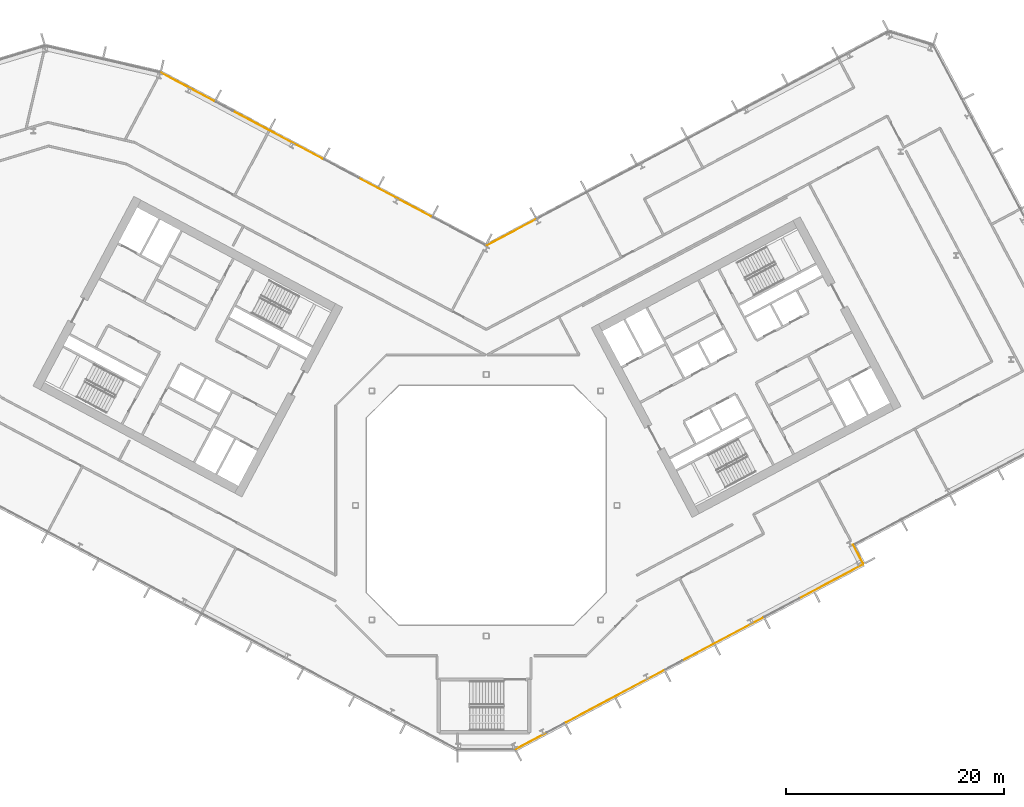
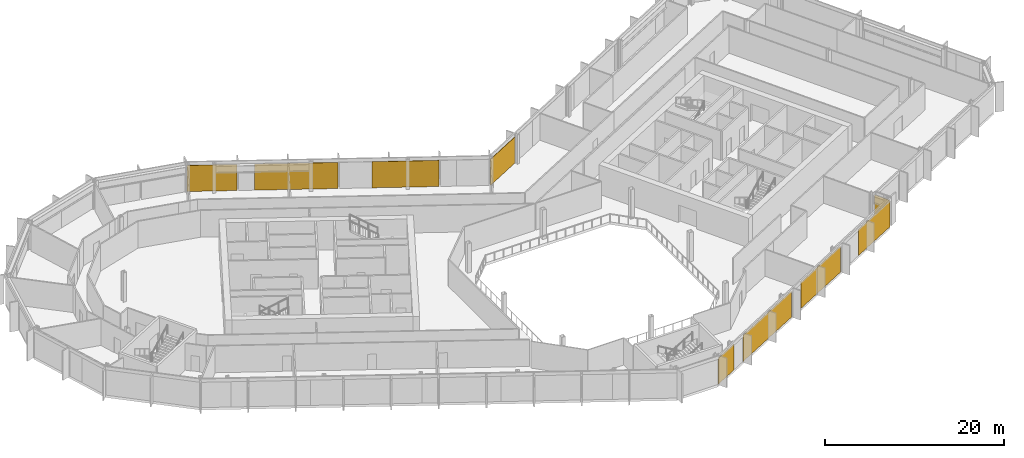
# One storey, part 24 of 28: 9 coverings, 4 elements without a shape of their own.
"""IFC4 building model written with IfcOpenShell, lengths in metres."""

from ifc_helpers import new_model, si_unit, direction, frame, origin, origin_2d, place, context, subcontext, project, spatial, rectangle, extrude, material, layer, layer_set, type_object, element, aggregate, save


model = new_model("IFC4")

# Units and contexts
model_context = context("Model", 3, precision=1e-05, world=origin(), true_north=direction((0.0, 1.0)))
body_context = subcontext(model_context, "Body", "Model", "MODEL_VIEW")
ifc_project = project(units=[si_unit("LENGTHUNIT", "METRE"), si_unit("AREAUNIT", "SQUARE_METRE"), si_unit("VOLUMEUNIT", "CUBIC_METRE"), si_unit("PLANEANGLEUNIT", "RADIAN"), si_unit("MASSUNIT", "GRAM", prefix="KILO")], contexts=[model_context])

# Site, building, storey
site_placement = place(None, origin())
site = spatial("IfcSite", under=ifc_project, at=site_placement, CompositionType="ELEMENT")
building_placement = place(site_placement, origin())
building = spatial("IfcBuilding", under=site, at=building_placement, Name="Cormorant Relay Tower", CompositionType="ELEMENT")
storey_placement = place(building_placement, frame((0.0, 0.0, 134.199951171875)))
storey = spatial("IfcBuildingStorey", under=building, at=storey_placement, Name="L27", CompositionType="ELEMENT", Elevation=134.199951171875)

# Curtain wall, coverings
ifc_material_1 = material(Name="Aluminium 6063-T6 anodised bronze", Category="aluminium")
ifc_layer_1 = layer(ifc_material_1, 0.199951171875)
ifc_layer_set_1 = layer_set([ifc_layer_1], Name="CW1 unitised bronze curtain wall with vertical fins")
curtain_wall_type = type_object("IfcCurtainWallType", Name="CW1 unitised bronze curtain wall with vertical fins", PredefinedType="NOTDEFINED", material=ifc_layer_set_1)
curtain_wall_1_placement = place(storey_placement, origin())
curtain_wall_1 = element("IfcCurtainWall", 1, at=curtain_wall_1_placement, inside=storey, type_object=curtain_wall_type, Name="CW1 curtain wall 2", PredefinedType="NOTDEFINED")
ifc_material_2 = material(Name="Pale bronze anodised aluminium insulated panel", Category="aluminium")
ifc_layer_2 = layer(ifc_material_2, 0.0400390625)
ifc_layer_set_2 = layer_set([ifc_layer_2], Name="CW1 pale bronze insulated panel 40")
covering_type = type_object("IfcCoveringType", Name="CW1 pale bronze insulated panel 40", PredefinedType="CLADDING", material=ifc_layer_set_2)
covering_1_placement = place(storey_placement, frame((4.14453125, -21.60302734375, 0.0), z_axis=(0.0, 0.0, 1.0), x_axis=(0.882947592859, 0.469471562786, 0.0)))
covering_1 = element("IfcCovering", 2, at=covering_1_placement, type_object=covering_type, Name="CW1 panel S00", PredefinedType="CLADDING", context=body_context, shape_type="SweptSolid", body=[
    extrude(rectangle(XDim=3.216552734375, YDim=0.0400390625, at=origin_2d()), origin(), (0.0, 0.0, 1.0), 3.550048828125),
])
covering_2_placement = place(storey_placement, frame((11.78173828125, -17.5419921875, 0.0), z_axis=(0.0, 0.0, 1.0), x_axis=(0.882947592859, 0.469471562786, 0.0)))
covering_2 = element("IfcCovering", 3, at=covering_2_placement, type_object=covering_type, Name="CW1 panel S02", PredefinedType="CLADDING", context=body_context, shape_type="SweptSolid", body=[
    extrude(rectangle(XDim=10.18310546875, YDim=0.0400390625, at=origin_2d()), origin(), (0.0, 0.0, 1.0), 3.550048828125),
])
covering_3_placement = place(storey_placement, frame((21.7001953125, -12.2685546875, 0.0), z_axis=(0.0, 0.0, 1.0), x_axis=(0.882947592859, 0.469471562786, 0.0)))
covering_3 = element("IfcCovering", 4, at=covering_3_placement, type_object=covering_type, Name="CW1 panel S04", PredefinedType="CLADDING", context=body_context, shape_type="SweptSolid", body=[
    extrude(rectangle(XDim=8.383056640625, YDim=0.0400390625, at=origin_2d()), origin(), (0.0, 0.0, 1.0), 3.550048828125),
])
covering_4_placement = place(storey_placement, frame((31.6513671875, -6.977294921875, 0.0), z_axis=(0.0, 0.0, 1.0), x_axis=(0.882947592859, 0.469471562786, 0.0)))
covering_4 = element("IfcCovering", 5, at=covering_4_placement, type_object=covering_type, Name="CW1 panel S06", PredefinedType="CLADDING", context=body_context, shape_type="SweptSolid", body=[
    extrude(rectangle(XDim=6.658203125, YDim=0.0400390625, at=origin_2d()), origin(), (0.0, 0.0, 1.0), 3.550048828125),
])
aggregate(curtain_wall_1, [covering_1, covering_2, covering_3, covering_4])

# Curtain wall, covering
curtain_wall_2_placement = place(storey_placement, origin())
curtain_wall_2 = element("IfcCurtainWall", 6, at=curtain_wall_2_placement, inside=storey, type_object=curtain_wall_type, Name="CW1 curtain wall 3", PredefinedType="NOTDEFINED")
covering_5_placement = place(storey_placement, frame((34.112060546875, -4.47119140625, 0.0), z_axis=(0.0, 0.0, 1.0), x_axis=(-0.469471562786, 0.882947592859, 0.0)))
covering_5 = element("IfcCovering", 7, at=covering_5_placement, type_object=covering_type, Name="CW1 panel S00", PredefinedType="CLADDING", context=body_context, shape_type="SweptSolid", body=[
    extrude(rectangle(XDim=1.925048828125, YDim=0.0400390625, at=origin_2d()), origin(), (0.0, 0.0, 1.0), 3.550048828125),
])
aggregate(curtain_wall_2, [covering_5])

curtain_wall_3_placement = place(storey_placement, origin())
curtain_wall_3 = element("IfcCurtainWall", 8, at=curtain_wall_3_placement, inside=storey, type_object=curtain_wall_type, Name="CW1 curtain wall 8", PredefinedType="NOTDEFINED")
covering_6_placement = place(storey_placement, frame((2.26611328125, 25.011474609375, 0.0), z_axis=(0.0, 0.0, 1.0), x_axis=(-0.882947592859, -0.469471562786, 0.0)))
covering_6 = element("IfcCovering", 9, at=covering_6_placement, type_object=covering_type, Name="CW1 panel S07", PredefinedType="CLADDING", context=body_context, shape_type="SweptSolid", body=[
    extrude(rectangle(XDim=5.154296875, YDim=0.0400390625, at=origin_2d()), origin(), (0.0, 0.0, 1.0), 3.550048828125),
])
aggregate(curtain_wall_3, [covering_6])

# Curtain wall, coverings
curtain_wall_4_placement = place(storey_placement, origin())
curtain_wall_4 = element("IfcCurtainWall", 10, at=curtain_wall_4_placement, inside=storey, type_object=curtain_wall_type, Name="CW1 curtain wall 9", PredefinedType="NOTDEFINED")
covering_7_placement = place(storey_placement, frame((-8.359130859375, 28.251220703125, 0.0), z_axis=(0.0, 0.0, 1.0), x_axis=(-0.882947592859, 0.469471562786, 0.0)))
covering_7 = element("IfcCovering", 11, at=covering_7_placement, type_object=covering_type, Name="CW1 panel S02", PredefinedType="CLADDING", context=body_context, shape_type="SweptSolid", body=[
    extrude(rectangle(XDim=7.528076171875, YDim=0.0400390625, at=origin_2d()), origin(), (0.0, 0.0, 1.0), 3.550048828125),
])
covering_8_placement = place(storey_placement, frame((-19.11181640625, 33.968505859375, 0.0), z_axis=(0.0, 0.0, 1.0), x_axis=(-0.882947592859, 0.469471562786, 0.0)))
covering_8 = element("IfcCovering", 12, at=covering_8_placement, type_object=covering_type, Name="CW1 panel S04", PredefinedType="CLADDING", context=body_context, shape_type="SweptSolid", body=[
    extrude(rectangle(XDim=9.327880859375, YDim=0.0400390625, at=origin_2d()), origin(), (0.0, 0.0, 1.0), 3.550048828125),
])
covering_9_placement = place(storey_placement, frame((-27.407958984375, 38.379638671875, 0.0), z_axis=(0.0, 0.0, 1.0), x_axis=(-0.882947592859, 0.469471562786, 0.0)))
covering_9 = element("IfcCovering", 13, at=covering_9_placement, type_object=covering_type, Name="CW1 panel S06", PredefinedType="CLADDING", context=body_context, shape_type="SweptSolid", body=[
    extrude(rectangle(XDim=5.56396484375, YDim=0.0400390625, at=origin_2d()), origin(), (0.0, 0.0, 1.0), 3.550048828125),
])
aggregate(curtain_wall_4, [covering_7, covering_8, covering_9])

save(model, "model.ifc")
